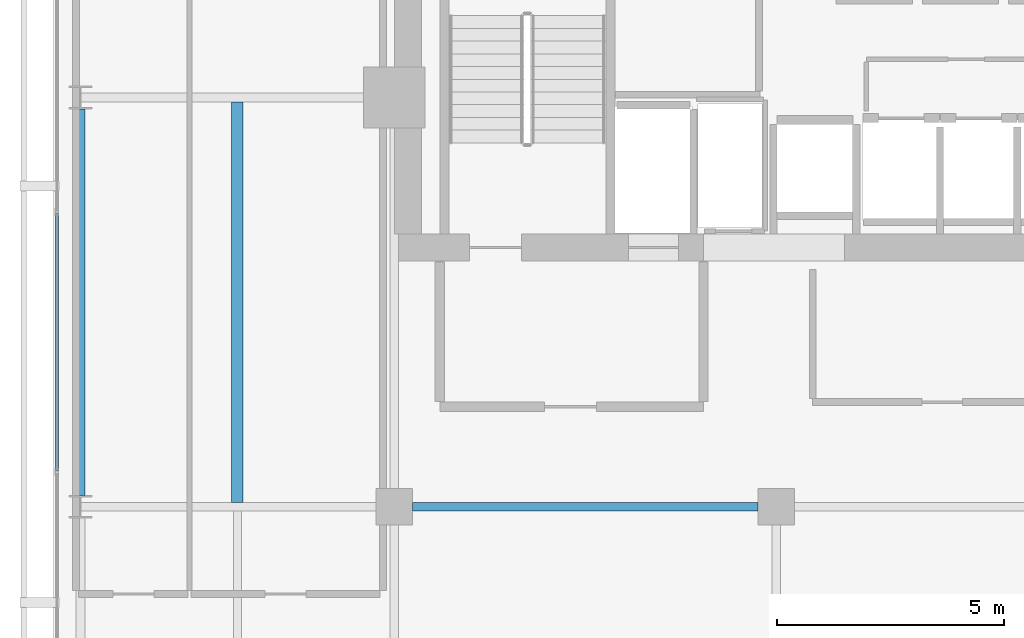
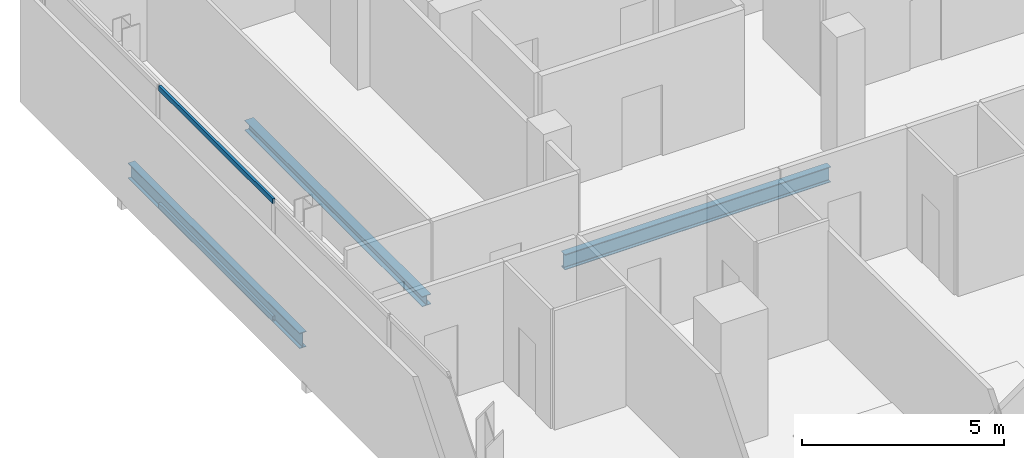
# One storey, part 8 of 24: 3 beams, 2 members, 1 element without a shape of its own.
"""IFC4 building model written with IfcOpenShell, lengths in metres."""

from ifc_helpers import new_model, si_unit, direction, frame, origin, origin_2d, place, context, subcontext, project, spatial, hollow_rectangle, i_section, extrude, material, layer, layer_set, material_profile, profile_set, type_object, element, aggregate, save


model = new_model("IFC4")

# Units and contexts
model_context = context("Model", 3, precision=1e-05, world=origin(), true_north=direction((0.0, 1.0)))
body_context = subcontext(model_context, "Body", "Model", "MODEL_VIEW")
ifc_project = project(units=[si_unit("LENGTHUNIT", "METRE"), si_unit("AREAUNIT", "SQUARE_METRE"), si_unit("VOLUMEUNIT", "CUBIC_METRE"), si_unit("PLANEANGLEUNIT", "RADIAN"), si_unit("MASSUNIT", "GRAM", prefix="KILO")], contexts=[model_context])

# Site, building, storey
site_placement = place(None, origin())
site = spatial("IfcSite", under=ifc_project, at=site_placement, CompositionType="ELEMENT")
building_placement = place(site_placement, origin())
building = spatial("IfcBuilding", under=site, at=building_placement, Name="Maruvema Waterfront Hotel and Observation Tower", CompositionType="ELEMENT")
storey_placement = place(building_placement, frame((0.0, 0.0, 329.699951171875)))
storey = spatial("IfcBuildingStorey", under=building, at=storey_placement, Name="L81", CompositionType="ELEMENT", Elevation=329.699951171875)

# Curtain wall, members
ifc_material_1 = material(Name="Anodised bronze aluminium and solar-control low-E IGU", Category="aluminium")
ifc_layer = layer(ifc_material_1, 0.159912109375, Name="Zone 4 Sky Residence Inner Curtain Wall System CW-05")
ifc_layer_set = layer_set([ifc_layer], Name="Anodised bronze aluminium and solar-control low-E IGU")
curtain_wall_type = type_object("IfcCurtainWallType", Name="Zone 4 Sky Residence Inner Curtain Wall System CW-05", PredefinedType="USERDEFINED", material=ifc_layer_set)
curtain_wall_placement = place(storey_placement, origin())
curtain_wall = element("IfcCurtainWall", 1, at=curtain_wall_placement, inside=storey, type_object=curtain_wall_type, Name="L81 Curtain Wall CW-L81-W", ObjectType="UNITISED CURTAIN WALL", PredefinedType="USERDEFINED")
ifc_material_2 = material(Name="Anodised architectural bronze aluminium", Category="aluminium")
ifc_material_profile_1 = material_profile(ifc_material_2, hollow_rectangle(XDim=0.070068359375, YDim=0.14990234375, WallThickness=0.00390625, at=origin_2d()), Name="ALU-T70x150")
ifc_profile_set_1 = profile_set([ifc_material_profile_1], Name="Anodised architectural bronze aluminium")
member_type = type_object("IfcMemberType", Name="Curtain Wall Horizontal Transom ALU-T70x150", PredefinedType="USERDEFINED", material=ifc_profile_set_1)
member_1_placement = place(storey_placement, frame((17.780029296875, 42.449951171875, 0.030029296875), z_axis=(0.0, -1.0, 0.0), x_axis=(1.0, 0.0, 0.0)))
member_1 = element("IfcMember", 2, at=member_1_placement, type_object=member_type, Name="CW-05 transom 2.1", ObjectType="TRANSOM", PredefinedType="USERDEFINED", context=body_context, shape_type="SweptSolid", body=[
    extrude(hollow_rectangle(XDim=0.070068359375, YDim=0.14990234375, WallThickness=0.00390625, at=origin_2d()), origin(), (0.0, 0.0, 1.0), 5.659912109375),
])
member_2_placement = place(storey_placement, frame((17.780029296875, 42.449951171875, 3.580078125), z_axis=(0.0, -1.0, 0.0), x_axis=(1.0, 0.0, 0.0)))
member_2 = element("IfcMember", 3, at=member_2_placement, type_object=member_type, Name="CW-05 transom 2.2", ObjectType="TRANSOM", PredefinedType="USERDEFINED", context=body_context, shape_type="SweptSolid", body=[
    extrude(hollow_rectangle(XDim=0.070068359375, YDim=0.14990234375, WallThickness=0.00390625, at=origin_2d()), origin(), (0.0, 0.0, 1.0), 5.659912109375),
])
aggregate(curtain_wall, [member_1, member_2])

# Beams
ifc_material_3 = material(Name="Steel ASTM A572 Grade 50", Category="steel")
ifc_material_profile_2 = material_profile(ifc_material_3, i_section(OverallWidth=0.194091796875, OverallDepth=0.468994140625, WebThickness=0.0126953125, FlangeThickness=0.0205078125, FilletRadius=0.014892578125, at=origin_2d()), Name="W460x106.0")
ifc_profile_set_2 = profile_set([ifc_material_profile_2], Name="Steel ASTM A572 Grade 50")
beam_type_1 = type_object("IfcBeamType", Name="Primary Floor Girder W460x106.0", PredefinedType="BEAM", material=ifc_profile_set_2)
beam_1_placement = place(storey_placement, frame((25.60009765625, 36.0, -0.474365234375), z_axis=(1.0, 0.0, 0.0), x_axis=(0.0, 1.0, 0.0)))
element("IfcBeam", 4, at=beam_1_placement, inside=storey, type_object=beam_type_1, Name="L81 Floor Girder EW-11", PredefinedType="BEAM", context=body_context, shape_type="SweptSolid", body=[
    extrude(i_section(OverallWidth=0.194091796875, OverallDepth=0.468994140625, WebThickness=0.0126953125, FlangeThickness=0.0205078125, FilletRadius=0.014892578125, at=origin_2d()), origin(), (0.0, 0.0, 1.0), 7.599853515625),
])
beam_2_placement = place(storey_placement, frame((18.300048828125, 36.25, -0.474365234375), z_axis=(0.0, 1.0, 0.0), x_axis=(-1.0, 0.0, 0.0)))
element("IfcBeam", 5, at=beam_2_placement, inside=storey, type_object=beam_type_1, Name="L81 Floor Girder NS-02", PredefinedType="BEAM", context=body_context, shape_type="SweptSolid", body=[
    extrude(i_section(OverallWidth=0.194091796875, OverallDepth=0.468994140625, WebThickness=0.0126953125, FlangeThickness=0.0205078125, FilletRadius=0.014892578125, at=origin_2d()), origin(), (0.0, 0.0, 1.0), 8.5),
])
ifc_material_4 = material(Name="Steel ASTM A572 Grade 50", Category="steel")
ifc_material_profile_3 = material_profile(ifc_material_4, i_section(OverallWidth=0.25390625, OverallDepth=0.305908203125, WebThickness=0.0087890625, FlangeThickness=0.0146484375, FilletRadius=0.014892578125, at=origin_2d()), Name="W310x79.0")
ifc_profile_set_3 = profile_set([ifc_material_profile_3], Name="Steel ASTM A572 Grade 50")
beam_type_2 = type_object("IfcBeamType", Name="Secondary Floor Joist W310x79.0", PredefinedType="JOIST", material=ifc_profile_set_3)
beam_3_placement = place(storey_placement, frame((21.75, 36.096923828125, -0.39306640625), z_axis=(0.0, 1.0, 0.0), x_axis=(-1.0, 0.0, 0.0)))
element("IfcBeam", 6, at=beam_3_placement, inside=storey, type_object=beam_type_2, Name="L81 Secondary Floor Joist JS-02", PredefinedType="JOIST", context=body_context, shape_type="SweptSolid", body=[
    extrude(i_section(OverallWidth=0.25390625, OverallDepth=0.305908203125, WebThickness=0.0087890625, FlangeThickness=0.0146484375, FilletRadius=0.014892578125, at=origin_2d()), origin(), (0.0, 0.0, 1.0), 8.80615234375),
])

save(model, "model.ifc")
